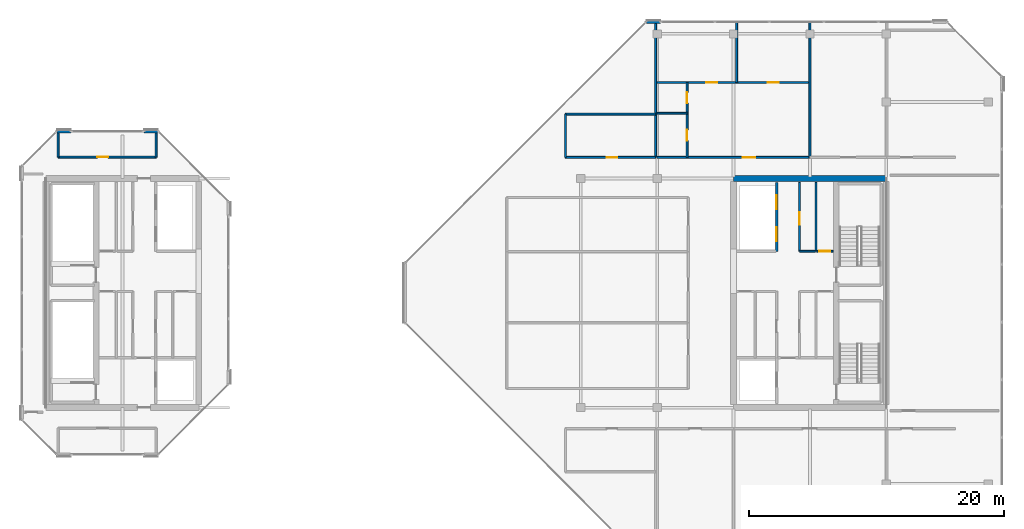
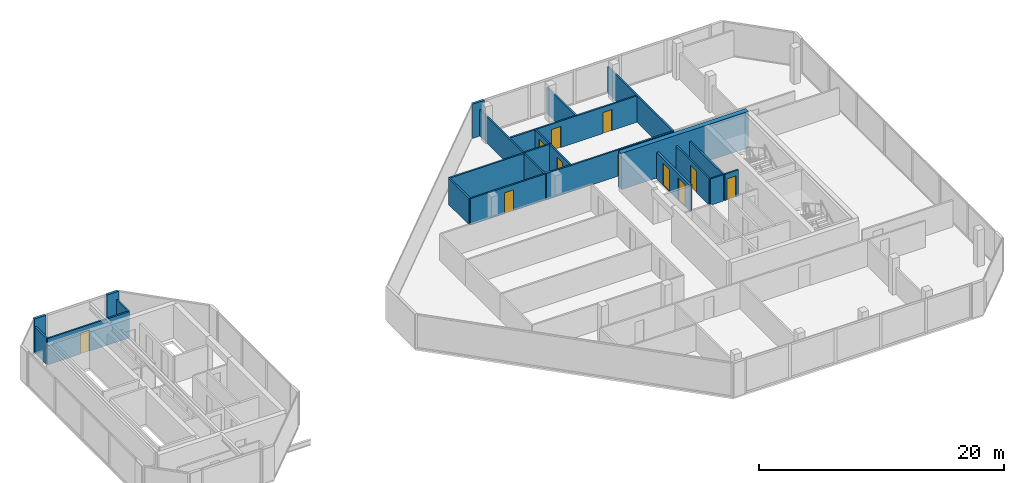
# One storey, part 25 of 28: 22 walls, 11 doors, 11 openings.
"""IFC4 building model written with IfcOpenShell, lengths in metres."""

from ifc_helpers import new_model, si_unit, direction, frame, frame_2d, origin, place, context, subcontext, project, spatial, rectangle, extrude, material, layer, layer_set, type_object, element, fill, save


model = new_model("IFC4")

# Units and contexts
model_context = context("Model", 3, precision=1e-05, world=origin(), true_north=direction((0.0, 1.0)))
body_context = subcontext(model_context, "Body", "Model", "MODEL_VIEW")
ifc_project = project(units=[si_unit("LENGTHUNIT", "METRE"), si_unit("AREAUNIT", "SQUARE_METRE"), si_unit("VOLUMEUNIT", "CUBIC_METRE"), si_unit("PLANEANGLEUNIT", "RADIAN"), si_unit("MASSUNIT", "GRAM", prefix="KILO")], contexts=[model_context])

# Site, building, storey
site_placement = place(None, origin())
site = spatial("IfcSite", under=ifc_project, at=site_placement, CompositionType="ELEMENT")
building_placement = place(site_placement, origin())
building = spatial("IfcBuilding", under=site, at=building_placement, Name="Tanjung Sevakor Pilgrim Tower", CompositionType="ELEMENT")
storey_placement = place(building_placement, frame((0.0, 0.0, 257.070068359375)))
storey = spatial("IfcBuildingStorey", under=building, at=storey_placement, Name="L72", CompositionType="ELEMENT", Elevation=257.070068359375)

# Walls
ifc_material_1 = material(Name="Concrete C60/75", Category="concrete")
ifc_layer_1 = layer(ifc_material_1, 0.449951171875)
ifc_layer_set_1 = layer_set([ifc_layer_1], Name="WALL-CW-450")
wall_type_1 = type_object("IfcWallType", Name="WALL-CW-450", PredefinedType="SHEAR", material=ifc_layer_set_1)
wall_1_placement = place(storey_placement, frame((90.0, 42.60009765625, 0.0), z_axis=(0.0, 0.0, 1.0), x_axis=(-1.0, 0.0, 0.0)))
element("IfcWall", 1, at=wall_1_placement, inside=storey, type_object=wall_type_1, Name="L72 E Core North Shear Wall", PredefinedType="SHEAR", context=body_context, shape_type="SweptSolid", body=[
    extrude(rectangle(XDim=12.0, YDim=0.449951171875, at=frame_2d((6.0, 0.0))), origin(), (0.0, 0.0, 1.0), 3.6298828125),
])
ifc_material_2 = material(Name="Concrete C40/50", Category="concrete")
ifc_layer_2 = layer(ifc_material_2, 0.14990234375)
ifc_layer_set_2 = layer_set([ifc_layer_2], Name="WT-COMP-150")
wall_type_2 = type_object("IfcWallType", Name="WT-COMP-150", PredefinedType="SOLIDWALL", material=ifc_layer_set_2)
wall_2_placement = place(storey_placement, frame((84.47998046875, 36.8798828125, 0.0), z_axis=(0.0, 0.0, 1.0), x_axis=(0.0, 1.0, 0.0)))
element("IfcWall", 2, at=wall_2_placement, inside=storey, type_object=wall_type_2, Name="L72 Partition IW-L72-027", PredefinedType="SOLIDWALL", context=body_context, shape_type="SweptSolid", body=[
    extrude(rectangle(XDim=5.420166015625, YDim=0.14990234375, at=frame_2d((2.7099609375, 0.0))), origin(), (0.0, 0.0, 1.0), 2.6298828125),
])

# Wall, opening, door
wall_3_placement = place(storey_placement, frame((84.550048828125, 36.8798828125, 0.0), z_axis=(0.0, 0.0, 1.0), x_axis=(1.0, 0.0, 0.0)))
wall_3 = element("IfcWall", 3, at=wall_3_placement, inside=storey, type_object=wall_type_2, Name="L72 Partition IW-L72-028", PredefinedType="SOLIDWALL", context=body_context, shape_type="SweptSolid", body=[
    extrude(rectangle(XDim=1.280029296875, YDim=0.14990234375, at=frame_2d((0.64013671875, 0.0))), origin(), (0.0, 0.0, 1.0), 2.6298828125),
])
opening_1_placement = place(wall_3_placement, frame((0.179931640625, 0.0, 0.0)))
opening_1 = element("IfcOpeningElement", 4, at=opening_1_placement, cuts=wall_3, Name="Opening ID-FD3", PredefinedType="OPENING", context=body_context, shape_type="SweptSolid", body=[
    extrude(rectangle(XDim=0.85009765625, YDim=2.10009765625, at=frame_2d((0.425048828125, 1.050048828125))), frame((0.0, 0.0849609375, 0.0), z_axis=(0.0, -1.0, 0.0), x_axis=(1.0, 0.0, 0.0)), (0.0, 0.0, 1.0), 0.169921875),
])
ifc_material_3 = material(Name="Fire-Rated Timber", Category="wood")
door_type_1 = type_object("IfcDoorType", Name="DT-FIRE-850", OperationType="NOTDEFINED", PredefinedType="DOOR", material=ifc_material_3)
door_1_placement = place(opening_1_placement, origin())
door_1 = element("IfcDoor", 5, at=door_1_placement, inside=storey, type_object=door_type_1, Name="L72 Service Store Door", OperationType="SINGLE_SWING_RIGHT", OverallHeight=2.10009765625, OverallWidth=0.85009765625, PredefinedType="DOOR", context=body_context, shape_type="SweptSolid", body=[
    extrude(rectangle(XDim=0.85009765625, YDim=2.10009765625, at=frame_2d((0.425048828125, 1.050048828125))), frame((0.0, 0.02490234375, 0.0), z_axis=(0.0, -1.0, 0.0), x_axis=(1.0, 0.0, 0.0)), (0.0, 0.0, 1.0), 0.050048828125),
])
fill(opening_1, door_1)

# Wall
wall_4_placement = place(storey_placement, frame((83.199951171875, 36.8798828125, 0.0), z_axis=(0.0, 0.0, 1.0), x_axis=(1.0, 0.0, 0.0)))
element("IfcWall", 6, at=wall_4_placement, inside=storey, type_object=wall_type_2, Name="L72 Partition IW-L72-029", PredefinedType="SOLIDWALL", context=body_context, shape_type="SweptSolid", body=[
    extrude(rectangle(XDim=1.219970703125, YDim=0.14990234375, at=frame_2d((0.60986328125, 0.0))), origin(), (0.0, 0.0, 1.0), 2.6298828125),
])

# Wall, opening, door
wall_5_placement = place(storey_placement, frame((83.179931640625, 36.8798828125, 0.0), z_axis=(0.0, 0.0, 1.0), x_axis=(0.0, 1.0, 0.0)))
wall_5 = element("IfcWall", 7, at=wall_5_placement, inside=storey, type_object=wall_type_2, Name="L72 Partition IW-L72-030", PredefinedType="SOLIDWALL", context=body_context, shape_type="SweptSolid", body=[
    extrude(rectangle(XDim=5.420166015625, YDim=0.14990234375, at=frame_2d((2.7099609375, 0.0))), origin(), (0.0, 0.0, 1.0), 2.6298828125),
])
opening_2_placement = place(wall_5_placement, frame((2.10009765625, 0.0, 0.0)))
opening_2 = element("IfcOpeningElement", 8, at=opening_2_placement, cuts=wall_5, Name="Opening ID-FD2", PredefinedType="OPENING", context=body_context, shape_type="SweptSolid", body=[
    extrude(rectangle(XDim=0.949951171875, YDim=2.14990234375, at=frame_2d((0.47509765625, 1.074951171875))), frame((0.0, 0.0849609375, 0.0), z_axis=(0.0, -1.0, 0.0), x_axis=(1.0, 0.0, 0.0)), (0.0, 0.0, 1.0), 0.169921875),
])
ifc_material_4 = material(Name="Fire-Rated Timber", Category="wood")
door_type_2 = type_object("IfcDoorType", Name="DT-FIRE-950", OperationType="NOTDEFINED", PredefinedType="DOOR", material=ifc_material_4)
door_2_placement = place(opening_2_placement, origin())
door_2 = element("IfcDoor", 9, at=door_2_placement, inside=storey, type_object=door_type_2, Name="L72 Core Reading Room Door", OperationType="SINGLE_SWING_LEFT", OverallHeight=2.14990234375, OverallWidth=0.949951171875, PredefinedType="DOOR", context=body_context, shape_type="SweptSolid", body=[
    extrude(rectangle(XDim=0.949951171875, YDim=2.14990234375, at=frame_2d((0.47509765625, 1.074951171875))), frame((0.0, 0.02490234375, 0.0), z_axis=(0.0, -1.0, 0.0), x_axis=(1.0, 0.0, 0.0)), (0.0, 0.0, 1.0), 0.050048828125),
])
fill(opening_2, door_2)

wall_6_placement = place(storey_placement, frame((24.949951171875, 44.27001953125, 0.0), z_axis=(0.0, 0.0, 1.0), x_axis=(1.0, 0.0, 0.0)))
wall_6 = element("IfcWall", 10, at=wall_6_placement, inside=storey, type_object=wall_type_2, Name="L72 Partition IW-L72-038", PredefinedType="SOLIDWALL", context=body_context, shape_type="SweptSolid", body=[
    extrude(rectangle(XDim=7.699951171875, YDim=0.14990234375, at=frame_2d((3.85009765625, 0.0))), origin(), (0.0, 0.0, 1.0), 2.6298828125),
])
opening_3_placement = place(wall_6_placement, frame((3.074951171875, 0.0, 0.0)))
opening_3 = element("IfcOpeningElement", 11, at=opening_3_placement, cuts=wall_6, Name="Opening ID-WC1", PredefinedType="OPENING", context=body_context, shape_type="SweptSolid", body=[
    extrude(rectangle(XDim=0.85009765625, YDim=2.10009765625, at=frame_2d((0.425048828125, 1.050048828125))), frame((0.0, 0.0849609375, 0.0), z_axis=(0.0, -1.0, 0.0), x_axis=(1.0, 0.0, 0.0)), (0.0, 0.0, 1.0), 0.169921875),
])
ifc_material_5 = material(Name="Moisture-Resistant Timber", Category="wood")
door_type_3 = type_object("IfcDoorType", Name="DT-INT-850", OperationType="NOTDEFINED", PredefinedType="DOOR", material=ifc_material_5)
door_3_placement = place(opening_3_placement, origin())
door_3 = element("IfcDoor", 12, at=door_3_placement, inside=storey, type_object=door_type_3, Name="L72 West Peak North Observatory Door", OperationType="SINGLE_SWING_RIGHT", OverallHeight=2.10009765625, OverallWidth=0.85009765625, PredefinedType="DOOR", context=body_context, shape_type="SweptSolid", body=[
    extrude(rectangle(XDim=0.85009765625, YDim=2.10009765625, at=frame_2d((0.425048828125, 1.050048828125))), frame((0.0, 0.02490234375, 0.0), z_axis=(0.0, -1.0, 0.0), x_axis=(1.0, 0.0, 0.0)), (0.0, 0.0, 1.0), 0.050048828125),
])
fill(opening_3, door_3)

# Walls
for number, where, z_axis, x_axis, name in (
    (13, (24.949951171875, 44.27001953125, 0.0), (0.0, 0.0, 1.0), (0.0, 1.0, 0.0), "L72 Partition IW-L72-039"),
    (14, (32.64990234375, 44.27001953125, 0.0), (0.0, 0.0, 1.0), (0.0, 1.0, 0.0), "L72 Partition IW-L72-040"),
):
    element("IfcWall", number, at=place(storey_placement, frame(where, z_axis=z_axis, x_axis=x_axis)), inside=storey, type_object=wall_type_2, Name=name, PredefinedType="SOLIDWALL", context=body_context, shape_type="SweptSolid", body=[
        extrude(rectangle(XDim=2.010009765625, YDim=0.14990234375, at=frame_2d((1.0048828125, 0.0))), origin(), (0.0, 0.0, 1.0), 2.6298828125),
    ])

# Wall, opening, door
wall_7_placement = place(storey_placement, frame((64.800048828125, 44.25, 0.0), z_axis=(0.0, 0.0, 1.0), x_axis=(1.0, 0.0, 0.0)))
wall_7 = element("IfcWall", 15, at=wall_7_placement, inside=storey, type_object=wall_type_2, Name="L72 Partition IW-L72-045", PredefinedType="SOLIDWALL", context=body_context, shape_type="SweptSolid", body=[
    extrude(rectangle(XDim=7.079833984375, YDim=0.14990234375, at=frame_2d((3.5400390625, 0.0))), origin(), (0.0, 0.0, 1.0), 2.6298828125),
])
opening_4_placement = place(wall_7_placement, frame((3.22509765625, 0.0, 0.0)))
opening_4 = element("IfcOpeningElement", 16, at=opening_4_placement, cuts=wall_7, Name="Opening ID-WC1", PredefinedType="OPENING", context=body_context, shape_type="SweptSolid", body=[
    extrude(rectangle(XDim=0.85009765625, YDim=2.10009765625, at=frame_2d((0.425048828125, 1.050048828125))), frame((0.0, 0.0849609375, 0.0), z_axis=(0.0, -1.0, 0.0), x_axis=(1.0, 0.0, 0.0)), (0.0, 0.0, 1.0), 0.169921875),
])
door_4_placement = place(opening_4_placement, origin())
door_4 = element("IfcDoor", 17, at=door_4_placement, inside=storey, type_object=door_type_3, Name="L72 NW Crown Library Door", OperationType="SINGLE_SWING_RIGHT", OverallHeight=2.10009765625, OverallWidth=0.85009765625, PredefinedType="DOOR", context=body_context, shape_type="SweptSolid", body=[
    extrude(rectangle(XDim=0.85009765625, YDim=2.10009765625, at=frame_2d((0.425048828125, 1.050048828125))), frame((0.0, 0.02490234375, 0.0), z_axis=(0.0, -1.0, 0.0), x_axis=(1.0, 0.0, 0.0)), (0.0, 0.0, 1.0), 0.050048828125),
])
fill(opening_4, door_4)

# Walls
wall_8_placement = place(storey_placement, frame((64.800048828125, 47.64990234375, 0.0), z_axis=(0.0, 0.0, 1.0), x_axis=(1.0, 0.0, 0.0)))
element("IfcWall", 18, at=wall_8_placement, inside=storey, type_object=wall_type_2, Name="L72 Partition IW-L72-046", PredefinedType="SOLIDWALL", context=body_context, shape_type="SweptSolid", body=[
    extrude(rectangle(XDim=7.079833984375, YDim=0.14990234375, at=frame_2d((3.5400390625, 0.0))), origin(), (0.0, 0.0, 1.0), 2.6298828125),
])
wall_9_placement = place(storey_placement, frame((64.800048828125, 44.25, 0.0), z_axis=(0.0, 0.0, 1.0), x_axis=(0.0, 1.0, 0.0)))
element("IfcWall", 19, at=wall_9_placement, inside=storey, type_object=wall_type_2, Name="L72 Partition IW-L72-047", PredefinedType="SOLIDWALL", context=body_context, shape_type="SweptSolid", body=[
    extrude(rectangle(XDim=3.39990234375, YDim=0.14990234375, at=frame_2d((1.699951171875, 0.0))), origin(), (0.0, 0.0, 1.0), 2.6298828125),
])
for number, where, z_axis, x_axis, name in (
    (20, (71.8798828125, 44.25, 0.0), (0.0, 0.0, 1.0), (0.0, 1.0, 0.0), "L72 Partition IW-L72-048"),
    (21, (84.0, 44.25, 0.0), (0.0, 0.0, 1.0), (0.0, 1.0, 0.0), "L72 Partition IW-L72-060"),
):
    element("IfcWall", number, at=place(storey_placement, frame(where, z_axis=z_axis, x_axis=x_axis)), inside=storey, type_object=wall_type_2, Name=name, PredefinedType="SOLIDWALL", context=body_context, shape_type="SweptSolid", body=[
        extrude(rectangle(XDim=10.610107421875, YDim=0.14990234375, at=frame_2d((5.30517578125, 0.0))), origin(), (0.0, 0.0, 1.0), 2.6298828125),
    ])

# Wall, opening, door
wall_10_placement = place(storey_placement, frame((72.0, 44.25, 0.0), z_axis=(0.0, 0.0, 1.0), x_axis=(1.0, 0.0, 0.0)))
wall_10 = element("IfcWall", 22, at=wall_10_placement, inside=storey, type_object=wall_type_2, Name="L72 Partition IW-L72-065", PredefinedType="SOLIDWALL", context=body_context, shape_type="SweptSolid", body=[
    extrude(rectangle(XDim=12.0, YDim=0.14990234375, at=frame_2d((6.0, 0.0))), origin(), (0.0, 0.0, 1.0), 2.6298828125),
])
opening_5_placement = place(wall_10_placement, frame((6.739990234375, 0.0, 0.0)))
opening_5 = element("IfcOpeningElement", 23, at=opening_5_placement, cuts=wall_10, Name="Opening ID-FD2", PredefinedType="OPENING", context=body_context, shape_type="SweptSolid", body=[
    extrude(rectangle(XDim=0.949951171875, YDim=2.14990234375, at=frame_2d((0.47509765625, 1.074951171875))), frame((0.0, 0.0849609375, 0.0), z_axis=(0.0, -1.0, 0.0), x_axis=(1.0, 0.0, 0.0)), (0.0, 0.0, 1.0), 0.169921875),
])
door_5_placement = place(opening_5_placement, origin())
door_5 = element("IfcDoor", 24, at=door_5_placement, inside=storey, type_object=door_type_2, Name="Suite Entrance", OperationType="SINGLE_SWING_RIGHT", OverallHeight=2.14990234375, OverallWidth=0.949951171875, PredefinedType="DOOR", context=body_context, shape_type="SweptSolid", body=[
    extrude(rectangle(XDim=0.949951171875, YDim=2.14990234375, at=frame_2d((0.47509765625, 1.074951171875))), frame((0.0, 0.02490234375, 0.0), z_axis=(0.0, -1.0, 0.0), x_axis=(1.0, 0.0, 0.0)), (0.0, 0.0, 1.0), 0.050048828125),
])
fill(opening_5, door_5)

# Walls
ifc_material_6 = material(Name="Precast concrete C45/55", Category="concrete")
ifc_layer_3 = layer(ifc_material_6, 0.219970703125)
ifc_layer_set_3 = layer_set([ifc_layer_3], Name="WT-EW-STN4")
wall_type_3 = type_object("IfcWallType", Name="WT-EW-STN4", PredefinedType="SOLIDWALL", material=ifc_layer_set_3)
wall_11_placement = place(storey_placement, frame((32.804443359375, 46.2900390625, 0.0), z_axis=(0.0, 0.0, 1.0), x_axis=(-1.0, 0.0, 0.0)))
element("IfcWall", 25, at=wall_11_placement, inside=storey, type_object=wall_type_3, Name="L72 WEST Crown Pier 4-1A", PredefinedType="SOLIDWALL", context=body_context, shape_type="SweptSolid", body=[
    extrude(rectangle(XDim=1.10009765625, YDim=0.219970703125, at=frame_2d((0.550048828125, 0.0))), origin(), (0.0, 0.0, 1.0), 3.409912109375),
])
wall_12_placement = place(storey_placement, frame((25.945556640625, 46.2900390625, 0.0), z_axis=(0.0, 0.0, 1.0), x_axis=(-1.0, 0.0, 0.0)))
element("IfcWall", 26, at=wall_12_placement, inside=storey, type_object=wall_type_3, Name="L72 WEST Crown Pier 4-1B", PredefinedType="SOLIDWALL", context=body_context, shape_type="SweptSolid", body=[
    extrude(rectangle(XDim=1.099853515625, YDim=0.219970703125, at=frame_2d((0.5498046875, 0.0))), origin(), (0.0, 0.0, 1.0), 3.409912109375),
])
wall_13_placement = place(storey_placement, frame((72.24560546875, 54.889892578125, 0.0), z_axis=(0.0, 0.0, 1.0), x_axis=(-1.0, 0.0, 0.0)))
element("IfcWall", 27, at=wall_13_placement, inside=storey, type_object=wall_type_3, Name="L72 EAST Crown Pier 4-1B", PredefinedType="SOLIDWALL", context=body_context, shape_type="SweptSolid", body=[
    extrude(rectangle(XDim=1.10009765625, YDim=0.219970703125, at=frame_2d((0.550048828125, 0.0))), origin(), (0.0, 0.0, 1.0), 3.409912109375),
])

# Wall, openings, doors
ifc_material_7 = material(Name="Concrete C40/50", Category="concrete")
ifc_layer_4 = layer(ifc_material_7, 0.199951171875)
ifc_layer_set_4 = layer_set([ifc_layer_4], Name="WT-FPRT-200")
wall_type_4 = type_object("IfcWallType", Name="WT-FPRT-200", PredefinedType="SOLIDWALL", material=ifc_layer_set_4)
wall_14_placement = place(storey_placement, frame((81.3798828125, 36.8798828125, 0.0), z_axis=(0.0, 0.0, 1.0), x_axis=(0.0, 1.0, 0.0)))
wall_14 = element("IfcWall", 28, at=wall_14_placement, inside=storey, type_object=wall_type_4, Name="L72 Partition IW-L72-032", PredefinedType="SOLIDWALL", context=body_context, shape_type="SweptSolid", body=[
    extrude(rectangle(XDim=5.420166015625, YDim=0.199951171875, at=frame_2d((2.7099609375, 0.0))), origin(), (0.0, 0.0, 1.0), 2.6298828125),
])
opening_6_placement = place(wall_14_placement, frame((0.800048828125, 0.0, 0.0)))
opening_6 = element("IfcOpeningElement", 29, at=opening_6_placement, cuts=wall_14, Name="Opening LD-1100", PredefinedType="OPENING", context=body_context, shape_type="SweptSolid", body=[
    extrude(rectangle(XDim=1.10009765625, YDim=2.199951171875, at=frame_2d((0.550048828125, 1.10009765625))), frame((0.0, 0.10986328125, 0.0), z_axis=(0.0, -1.0, 0.0), x_axis=(1.0, 0.0, 0.0)), (0.0, 0.0, 1.0), 0.219970703125),
])
opening_7_placement = place(wall_14_placement, frame((3.300048828125, 0.0, 0.0)))
opening_7 = element("IfcOpeningElement", 30, at=opening_7_placement, cuts=wall_14, Name="Opening LD-1100", PredefinedType="OPENING", context=body_context, shape_type="SweptSolid", body=[
    extrude(rectangle(XDim=1.10009765625, YDim=2.199951171875, at=frame_2d((0.550048828125, 1.10009765625))), frame((0.0, 0.10986328125, 0.0), z_axis=(0.0, -1.0, 0.0), x_axis=(1.0, 0.0, 0.0)), (0.0, 0.0, 1.0), 0.219970703125),
])
ifc_material_8 = material(Name="Brushed Stainless Steel S355J2", Category="steel")
door_type_4 = type_object("IfcDoorType", Name="DT-LIFT-1100", OperationType="SLIDING_TO_LEFT", PredefinedType="DOOR", material=ifc_material_8)
door_6_placement = place(opening_6_placement, origin())
door_6 = element("IfcDoor", 31, at=door_6_placement, inside=storey, type_object=door_type_4, Name="LD-PLH1-E", OperationType="SLIDING_TO_LEFT", OverallHeight=2.199951171875, OverallWidth=1.10009765625, PredefinedType="DOOR", context=body_context, shape_type="SweptSolid", body=[
    extrude(rectangle(XDim=1.10009765625, YDim=2.199951171875, at=frame_2d((0.550048828125, 1.10009765625))), frame((0.0, 0.02490234375, 0.0), z_axis=(0.0, -1.0, 0.0), x_axis=(1.0, 0.0, 0.0)), (0.0, 0.0, 1.0), 0.050048828125),
])
fill(opening_6, door_6)
door_7_placement = place(opening_7_placement, origin())
door_7 = element("IfcDoor", 32, at=door_7_placement, inside=storey, type_object=door_type_4, Name="LD-PLH2-E", OperationType="SLIDING_TO_RIGHT", OverallHeight=2.199951171875, OverallWidth=1.10009765625, PredefinedType="DOOR", context=body_context, shape_type="SweptSolid", body=[
    extrude(rectangle(XDim=1.10009765625, YDim=2.199951171875, at=frame_2d((0.550048828125, 1.10009765625))), frame((0.0, 0.02490234375, 0.0), z_axis=(0.0, -1.0, 0.0), x_axis=(1.0, 0.0, 0.0)), (0.0, 0.0, 1.0), 0.050048828125),
])
fill(opening_7, door_7)

# Wall
ifc_material_9 = material(Name="Gypsum Board Partition", Category="gypsum board")
ifc_layer_5 = layer(ifc_material_9, 0.14990234375)
ifc_layer_set_5 = layer_set([ifc_layer_5], Name="WT-PART-150")
wall_type_5 = type_object("IfcWallType", Name="WT-PART-150", PredefinedType="PARTITIONING", material=ifc_layer_set_5)
wall_15_placement = place(storey_placement, frame((72.0, 47.720703125, 0.0), z_axis=(0.0, 0.0, 1.0), x_axis=(1.0, 0.0, 0.0)))
element("IfcWall", 33, at=wall_15_placement, inside=storey, type_object=wall_type_5, Name="L72 Partition IW-L72-061", PredefinedType="PARTITIONING", context=body_context, shape_type="SweptSolid", body=[
    extrude(rectangle(XDim=2.35009765625, YDim=0.14990234375, at=frame_2d((1.175048828125, 0.0))), origin(), (0.0, 0.0, 1.0), 2.6298828125),
])

# Wall, openings, doors
wall_16_placement = place(storey_placement, frame((74.35009765625, 44.25, 0.0), z_axis=(0.0, 0.0, 1.0), x_axis=(0.0, 1.0, 0.0)))
wall_16 = element("IfcWall", 34, at=wall_16_placement, inside=storey, type_object=wall_type_5, Name="L72 Partition IW-L72-062", PredefinedType="PARTITIONING", context=body_context, shape_type="SweptSolid", body=[
    extrude(rectangle(XDim=5.88232421875, YDim=0.14990234375, at=frame_2d((2.941162109375, 0.0))), origin(), (0.0, 0.0, 1.0), 2.6298828125),
])
opening_8_placement = place(wall_16_placement, frame((1.310302734375, 0.0, 0.0)))
opening_8 = element("IfcOpeningElement", 35, at=opening_8_placement, cuts=wall_16, Name="Opening ID-WC1", PredefinedType="OPENING", context=body_context, shape_type="SweptSolid", body=[
    extrude(rectangle(XDim=0.85009765625, YDim=2.10009765625, at=frame_2d((0.425048828125, 1.050048828125))), frame((0.0, 0.0849609375, 0.0), z_axis=(0.0, -1.0, 0.0), x_axis=(1.0, 0.0, 0.0)), (0.0, 0.0, 1.0), 0.169921875),
])
opening_9_placement = place(wall_16_placement, frame((4.25146484375, 0.0, 0.0)))
opening_9 = element("IfcOpeningElement", 36, at=opening_9_placement, cuts=wall_16, Name="Opening ID-WC1", PredefinedType="OPENING", context=body_context, shape_type="SweptSolid", body=[
    extrude(rectangle(XDim=0.85009765625, YDim=2.10009765625, at=frame_2d((0.425048828125, 1.050048828125))), frame((0.0, 0.0849609375, 0.0), z_axis=(0.0, -1.0, 0.0), x_axis=(1.0, 0.0, 0.0)), (0.0, 0.0, 1.0), 0.169921875),
])
door_8_placement = place(opening_8_placement, origin())
door_8 = element("IfcDoor", 37, at=door_8_placement, inside=storey, type_object=door_type_3, Name="Suite Kitchenette Door", OperationType="SINGLE_SWING_RIGHT", OverallHeight=2.10009765625, OverallWidth=0.85009765625, PredefinedType="DOOR", context=body_context, shape_type="SweptSolid", body=[
    extrude(rectangle(XDim=0.85009765625, YDim=2.10009765625, at=frame_2d((0.425048828125, 1.050048828125))), frame((0.0, 0.02490234375, 0.0), z_axis=(0.0, -1.0, 0.0), x_axis=(1.0, 0.0, 0.0)), (0.0, 0.0, 1.0), 0.050048828125),
])
fill(opening_8, door_8)
door_9_placement = place(opening_9_placement, origin())
door_9 = element("IfcDoor", 38, at=door_9_placement, inside=storey, type_object=door_type_3, Name="Suite Bathroom Door", OperationType="SINGLE_SWING_LEFT", OverallHeight=2.10009765625, OverallWidth=0.85009765625, PredefinedType="DOOR", context=body_context, shape_type="SweptSolid", body=[
    extrude(rectangle(XDim=0.85009765625, YDim=2.10009765625, at=frame_2d((0.425048828125, 1.050048828125))), frame((0.0, 0.02490234375, 0.0), z_axis=(0.0, -1.0, 0.0), x_axis=(1.0, 0.0, 0.0)), (0.0, 0.0, 1.0), 0.050048828125),
])
fill(opening_9, door_9)

# Wall
wall_17_placement = place(storey_placement, frame((78.239990234375, 50.13232421875, 0.0), z_axis=(0.0, 0.0, 1.0), x_axis=(0.0, 1.0, 0.0)))
element("IfcWall", 39, at=wall_17_placement, inside=storey, type_object=wall_type_5, Name="L72 Partition IW-L72-063", PredefinedType="PARTITIONING", context=body_context, shape_type="SweptSolid", body=[
    extrude(rectangle(XDim=4.727783203125, YDim=0.14990234375, at=frame_2d((2.36376953125, 0.0))), origin(), (0.0, 0.0, 1.0), 2.6298828125),
])

# Wall, openings, doors
wall_18_placement = place(storey_placement, frame((72.0, 50.13232421875, 0.0), z_axis=(0.0, 0.0, 1.0), x_axis=(1.0, 0.0, 0.0)))
wall_18 = element("IfcWall", 40, at=wall_18_placement, inside=storey, type_object=wall_type_5, Name="L72 Partition IW-L72-064", PredefinedType="PARTITIONING", context=body_context, shape_type="SweptSolid", body=[
    extrude(rectangle(XDim=12.0, YDim=0.14990234375, at=frame_2d((6.0, 0.0))), origin(), (0.0, 0.0, 1.0), 2.6298828125),
])
opening_10_placement = place(wall_18_placement, frame((3.8701171875, 0.0, 0.0)))
opening_10 = element("IfcOpeningElement", 41, at=opening_10_placement, cuts=wall_18, Name="Opening ID-WC1", PredefinedType="OPENING", context=body_context, shape_type="SweptSolid", body=[
    extrude(rectangle(XDim=0.85009765625, YDim=2.10009765625, at=frame_2d((0.425048828125, 1.050048828125))), frame((0.0, 0.0849609375, 0.0), z_axis=(0.0, -1.0, 0.0), x_axis=(1.0, 0.0, 0.0)), (0.0, 0.0, 1.0), 0.169921875),
])
opening_11_placement = place(wall_18_placement, frame((8.695068359375, 0.0, 0.0)))
opening_11 = element("IfcOpeningElement", 42, at=opening_11_placement, cuts=wall_18, Name="Opening ID-WC1", PredefinedType="OPENING", context=body_context, shape_type="SweptSolid", body=[
    extrude(rectangle(XDim=0.85009765625, YDim=2.10009765625, at=frame_2d((0.425048828125, 1.050048828125))), frame((0.0, 0.0849609375, 0.0), z_axis=(0.0, -1.0, 0.0), x_axis=(1.0, 0.0, 0.0)), (0.0, 0.0, 1.0), 0.169921875),
])
door_10_placement = place(opening_10_placement, origin())
door_10 = element("IfcDoor", 43, at=door_10_placement, inside=storey, type_object=door_type_3, Name="Suite Bedroom 1 Door", OperationType="SINGLE_SWING_RIGHT", OverallHeight=2.10009765625, OverallWidth=0.85009765625, PredefinedType="DOOR", context=body_context, shape_type="SweptSolid", body=[
    extrude(rectangle(XDim=0.85009765625, YDim=2.10009765625, at=frame_2d((0.425048828125, 1.050048828125))), frame((0.0, 0.02490234375, 0.0), z_axis=(0.0, -1.0, 0.0), x_axis=(1.0, 0.0, 0.0)), (0.0, 0.0, 1.0), 0.050048828125),
])
fill(opening_10, door_10)
door_11_placement = place(opening_11_placement, origin())
door_11 = element("IfcDoor", 44, at=door_11_placement, inside=storey, type_object=door_type_3, Name="Suite Bedroom 2 Door", OperationType="SINGLE_SWING_LEFT", OverallHeight=2.10009765625, OverallWidth=0.85009765625, PredefinedType="DOOR", context=body_context, shape_type="SweptSolid", body=[
    extrude(rectangle(XDim=0.85009765625, YDim=2.10009765625, at=frame_2d((0.425048828125, 1.050048828125))), frame((0.0, 0.02490234375, 0.0), z_axis=(0.0, -1.0, 0.0), x_axis=(1.0, 0.0, 0.0)), (0.0, 0.0, 1.0), 0.050048828125),
])
fill(opening_11, door_11)

save(model, "model.ifc")
